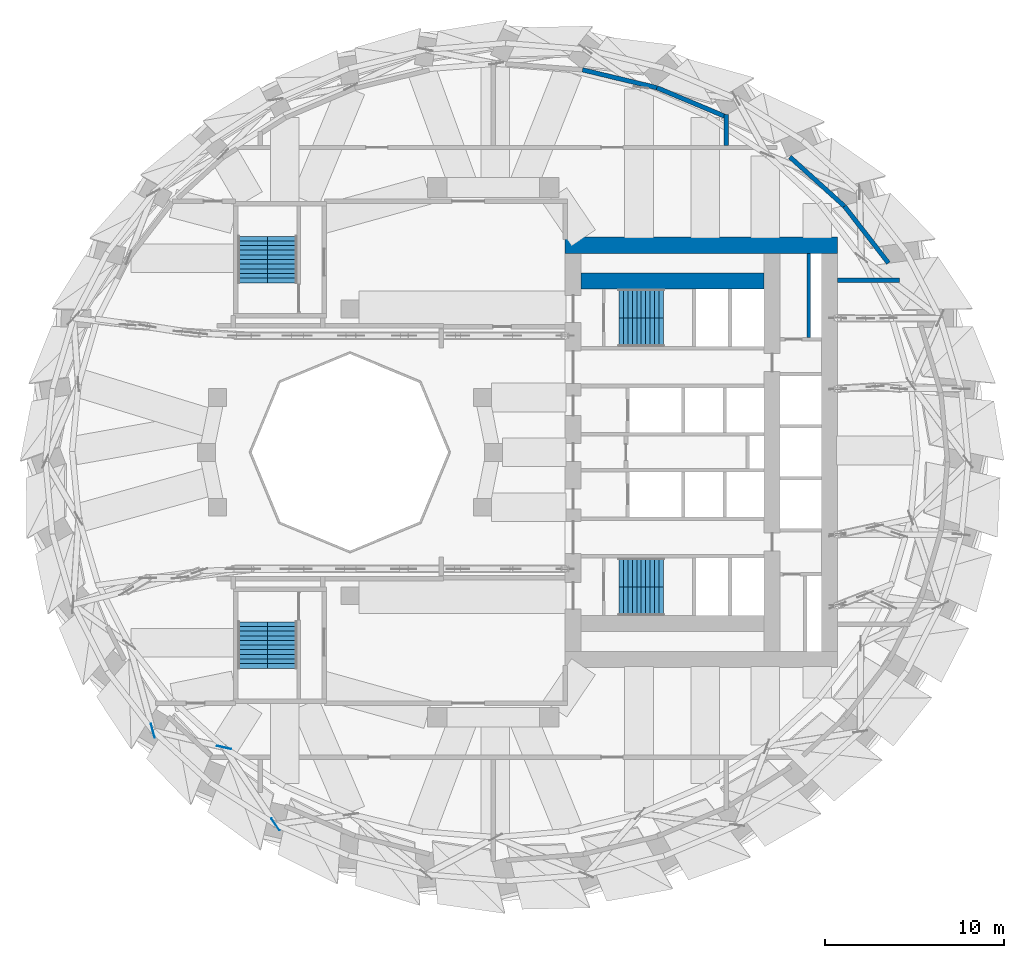
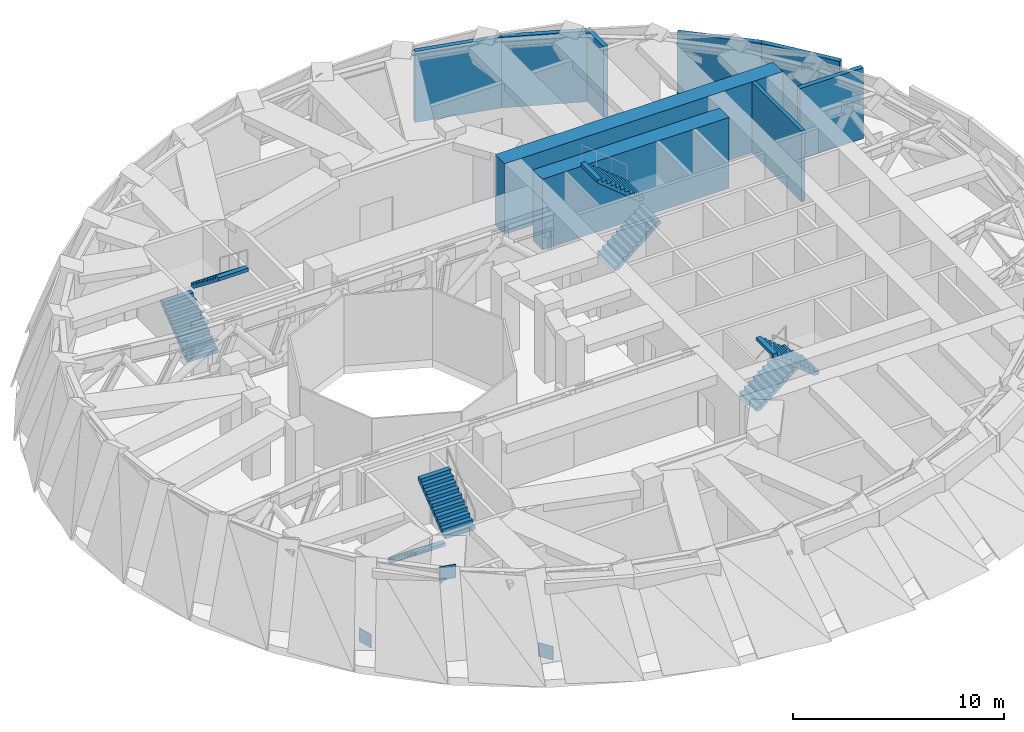
# One storey, part 9 of 14: 9 walls, 8 stair flights, 3 discrete accessories, 4 elements without a shape of their own.
"""IFC4 building model written with IfcOpenShell, lengths in metres."""

from ifc_helpers import new_model, si_unit, direction, frame, frame_2d, origin, origin_2d, place, context, subcontext, project, spatial, polyline, rectangle, outline, extrude, material, layer, layer_set, type_object, element, aggregate, save


model = new_model("IFC4")

# Units and contexts
model_context = context("Model", 3, precision=1e-05, world=origin(), true_north=direction((0.0, 1.0)))
body_context = subcontext(model_context, "Body", "Model", "MODEL_VIEW")
ifc_project = project(units=[si_unit("LENGTHUNIT", "METRE"), si_unit("AREAUNIT", "SQUARE_METRE"), si_unit("VOLUMEUNIT", "CUBIC_METRE"), si_unit("PLANEANGLEUNIT", "RADIAN"), si_unit("MASSUNIT", "GRAM", prefix="KILO")], contexts=[model_context])

# Site, building, storey
site_placement = place(None, origin())
site = spatial("IfcSite", under=ifc_project, at=site_placement, CompositionType="ELEMENT")
building_placement = place(site_placement, origin())
building = spatial("IfcBuilding", under=site, at=building_placement, Name="Taillehof Tower", CompositionType="ELEMENT")
storey_placement = place(building_placement, frame((0.0, 0.0, 135.10009765625)))
storey = spatial("IfcBuildingStorey", under=building, at=storey_placement, Name="L38", CompositionType="ELEMENT", Elevation=135.10009765625)

# Walls
ifc_material_1 = material(Name="Calcium silicate masonry", Category="masonry")
ifc_layer_1 = layer(ifc_material_1, 0.199951171875)
ifc_layer_set_1 = layer_set([ifc_layer_1], Name="Compartment wall calcium silicate 200")
wall_type_1 = type_object("IfcWallType", Name="Compartment wall calcium silicate 200", PredefinedType="PARTITIONING", material=ifc_layer_set_1)
wall_1_placement = place(storey_placement, frame((17.60009765625, 6.39990234375, 0.0), z_axis=(0.0, 0.0, 1.0), x_axis=(0.0, 1.0, 0.0)))
element("IfcWall", 1, at=wall_1_placement, inside=storey, type_object=wall_type_1, Name="Compartment wall FW", PredefinedType="PARTITIONING", context=body_context, shape_type="SweptSolid", body=[
    extrude(rectangle(XDim=4.7001953125, YDim=0.199951171875, at=frame_2d((2.35009765625, 0.0))), origin(), (0.0, 0.0, 1.0), 4.08984375),
])
ifc_material_2 = material(Name="Concrete C80/95", Category="concrete")
ifc_layer_2 = layer(ifc_material_2, 0.89990234375)
ifc_layer_set_2 = layer_set([ifc_layer_2], Name="Core wall C80/95 900")
wall_type_2 = type_object("IfcWallType", Name="Core wall C80/95 900", PredefinedType="SHEAR", material=ifc_layer_set_2)
wall_2_placement = place(storey_placement, frame((4.0, 11.550048828125, 0.0), z_axis=(0.0, 0.0, 1.0), x_axis=(1.0, 0.0, 0.0)))
element("IfcWall", 2, at=wall_2_placement, inside=storey, type_object=wall_type_2, Name="Core wall CW03", PredefinedType="SHEAR", context=body_context, shape_type="SweptSolid", body=[
    extrude(rectangle(XDim=15.199951171875, YDim=0.89990234375, at=frame_2d((7.60009765625, 0.0))), origin(), (0.0, 0.0, 1.0), 4.08984375),
])
wall_3_placement = place(storey_placement, frame((4.89990234375, 9.550048828125, 0.0), z_axis=(0.0, 0.0, 1.0), x_axis=(1.0, 0.0, 0.0)))
element("IfcWall", 3, at=wall_3_placement, inside=storey, type_object=wall_type_2, Name="Core wall CW06", PredefinedType="SHEAR", context=body_context, shape_type="SweptSolid", body=[
    extrude(rectangle(XDim=10.2001953125, YDim=0.89990234375, at=frame_2d((5.10009765625, 0.0))), origin(), (0.0, 0.0, 1.0), 4.08984375),
])
ifc_material_3 = material(Name="Calcium silicate blockwork", Category="masonry")
ifc_layer_3 = layer(ifc_material_3, 0.25)
ifc_layer_set_3 = layer_set([ifc_layer_3], Name="Fire-resisting wall EI 120 250 mm")
wall_type_3 = type_object("IfcWallType", Name="Fire-resisting wall EI 120 250 mm", PredefinedType="PARTITIONING", material=ifc_layer_set_3)
wall_4_placement = place(storey_placement, frame((19.57861328125, 13.728759765625, 0.0), z_axis=(0.0, 0.0, 1.0), x_axis=(-0.742177331878, 0.670203557172, 0.0)))
element("IfcWall", 4, at=wall_4_placement, inside=storey, type_object=wall_type_3, Name="Wall TRB / L38-04", PredefinedType="PARTITIONING", context=body_context, shape_type="SweptSolid", body=[
    extrude(rectangle(XDim=4.0908203125, YDim=0.25, at=frame_2d((2.04541015625, 0.0))), origin(), (0.0, 0.0, 1.0), 4.08984375),
])
wall_5_placement = place(storey_placement, frame((22.038818359375, 10.556396484375, 0.0), z_axis=(0.0, 0.0, 1.0), x_axis=(-0.612824294298, 0.79021920017, 0.0)))
element("IfcWall", 5, at=wall_5_placement, inside=storey, type_object=wall_type_3, Name="Wall TRB / L38-04", PredefinedType="PARTITIONING", context=body_context, shape_type="SweptSolid", body=[
    extrude(rectangle(XDim=4.0146484375, YDim=0.25, at=frame_2d((2.00732421875, 0.0))), origin(), (0.0, 0.0, 1.0), 4.08984375),
])
wall_6_placement = place(storey_placement, frame((9.12451171875, 20.333740234375, 0.0), z_axis=(0.0, 0.0, 1.0), x_axis=(-0.972269387962, 0.233863715084, 0.0)))
element("IfcWall", 6, at=wall_6_placement, inside=storey, type_object=wall_type_3, Name="Wall TRB / L38-07", PredefinedType="PARTITIONING", context=body_context, shape_type="SweptSolid", body=[
    extrude(rectangle(XDim=4.270751953125, YDim=0.25, at=frame_2d((2.13525390625, 0.0))), origin(), (0.0, 0.0, 1.0), 4.08984375),
])
wall_7_placement = place(storey_placement, frame((12.89453125, 18.7490234375, 0.0), z_axis=(0.0, 0.0, 1.0), x_axis=(-0.921867823911, 0.387504471248, 0.0)))
element("IfcWall", 7, at=wall_7_placement, inside=storey, type_object=wall_type_3, Name="Wall TRB / L38-07", PredefinedType="PARTITIONING", context=body_context, shape_type="SweptSolid", body=[
    extrude(rectangle(XDim=4.089599609375, YDim=0.25, at=frame_2d((2.044921875, 0.0))), origin(), (0.0, 0.0, 1.0), 4.08984375),
])
wall_8_placement = place(storey_placement, frame((19.197998046875, 9.60009765625, 0.0), z_axis=(0.0, 0.0, 1.0), x_axis=(1.0, 0.0, 0.0)))
element("IfcWall", 8, at=wall_8_placement, inside=storey, type_object=wall_type_3, Name="Wall TRE / L38-04", PredefinedType="PARTITIONING", context=body_context, shape_type="SweptSolid", body=[
    extrude(rectangle(XDim=3.4599609375, YDim=0.25, at=frame_2d((1.72998046875, 0.0))), origin(), (0.0, 0.0, 1.0), 4.08984375),
])
wall_9_placement = place(storey_placement, frame((13.0, 17.125, 0.0), z_axis=(0.0, 0.0, 1.0), x_axis=(0.0, 1.0, 0.0)))
element("IfcWall", 9, at=wall_9_placement, inside=storey, type_object=wall_type_3, Name="Wall L38-07 / L38-08", PredefinedType="PARTITIONING", context=body_context, shape_type="SweptSolid", body=[
    extrude(rectangle(XDim=1.704833984375, YDim=0.25, at=frame_2d((0.8525390625, 0.0))), origin(), (0.0, 0.0, 1.0), 4.08984375),
])

# Stair, stair flights
ifc_material_4 = material(Name="Concrete C40/50", Category="concrete")
stair_type = type_object("IfcStairType", Name="Exit stair half-turn", PredefinedType="HALF_TURN_STAIR", material=ifc_material_4)
stair_1_placement = place(storey_placement, origin())
stair_1 = element("IfcStair", 10, at=stair_1_placement, inside=storey, type_object=stair_type, Name="Exit stair S1", PredefinedType="HALF_TURN_STAIR")
ifc_material_5 = material(Name="Concrete C40/50", Category="concrete")
stair_flight_type_1 = type_object("IfcStairFlightType", Name="Stair flight 1600 riser 204.5 going 250", PredefinedType="STRAIGHT", material=ifc_material_5)
stair_flight_1_placement = place(storey_placement, frame((7.0, 6.699951171875, 0.0), z_axis=(0.0, 0.0, 1.0), x_axis=(1.0, 0.0, 0.0)))
stair_flight_1 = element("IfcStairFlight", 11, at=stair_flight_1_placement, type_object=stair_flight_type_1, Name="S1 flight 1", NumberOfRisers=11, NumberOfTreads=10, PredefinedType="STRAIGHT", RiserHeight=0.204545455, TreadLength=0.25, context=body_context, shape_type="SweptSolid", body=[
    extrude(outline(polyline([(0.0, 0.0), (0.0, 0.006103515625), (0.0, 0.011962890625), (0.0, 0.01806640625), (0.0, 0.024169921875), (0.0, 0.030029296875), (0.0, 0.0361328125), (0.0, 0.0419921875), (0.0, 0.048095703125), (0.0, 0.05419921875), (0.0, 0.06005859375), (0.0, 0.066162109375), (0.0, 0.072265625), (0.0, 0.078125), (0.0, 0.084228515625), (0.0, 0.09033203125), (0.0, 0.09619140625), (0.0, 0.102294921875), (0.0, 0.1083984375), (0.0, 0.1142578125), (0.0, 0.120361328125), (0.0, 0.126220703125), (0.0, 0.13232421875), (0.0, 0.138427734375), (0.0, 0.144287109375), (0.0, 0.150390625), (0.0, 0.156494140625), (0.0, 0.162353515625), (0.0, 0.16845703125), (0.0, 0.174560546875), (0.0, 0.180419921875), (0.0, 0.1865234375), (0.0, 0.192626953125), (0.0, 0.198486328125), (0.0, 0.20458984375), (0.25, 0.20458984375), (0.25, 0.4091796875), (0.5, 0.4091796875), (0.5, 0.613525390625), (0.75, 0.613525390625), (0.75, 0.818115234375), (1.0, 0.818115234375), (1.0, 1.022705078125), (1.25, 1.022705078125), (1.25, 1.227294921875), (1.5, 1.227294921875), (1.5, 1.431884765625), (1.75, 1.431884765625), (1.75, 1.636474609375), (2.0, 1.636474609375), (2.0, 1.8408203125), (2.25, 1.8408203125), (2.25, 2.04541015625), (2.5, 2.04541015625), (2.5, 2.039794921875), (2.5, 2.0341796875), (2.5, 2.0283203125), (2.5, 2.022705078125), (2.5, 2.01708984375), (2.5, 2.01123046875), (2.5, 2.005615234375), (2.5, 2.0), (2.5, 1.994140625), (2.5, 1.988525390625), (2.5, 1.98291015625), (2.5, 1.97705078125), (2.5, 1.971435546875), (2.5, 1.9658203125), (2.5, 1.9599609375), (2.5, 1.954345703125), (2.5, 1.94873046875), (2.5, 1.94287109375), (2.5, 1.937255859375), (2.5, 1.931640625), (2.5, 1.92578125), (2.5, 1.920166015625), (2.5, 1.91455078125), (2.5, 1.90869140625), (2.5, 1.903076171875), (2.5, 1.8974609375), (2.5, 1.8916015625), (2.5, 1.885986328125), (2.5, 1.88037109375), (2.5, 1.87451171875), (2.5, 1.868896484375), (2.5, 1.86328125), (2.5, 1.857421875), (2.5, 1.851806640625), (0.23681640625, 0.0), (0.0, 0.0)])), frame((0.0, 0.800048828125, 0.0), z_axis=(0.0, -1.0, 0.0), x_axis=(1.0, 0.0, 0.0)), (0.0, 0.0, 1.0), 1.6),
])
stair_flight_2_placement = place(storey_placement, frame((9.5, 8.300048828125, 2.25), z_axis=(0.0, 0.0, 1.0), x_axis=(-1.0, 0.0, 0.0)))
stair_flight_2 = element("IfcStairFlight", 12, at=stair_flight_2_placement, type_object=stair_flight_type_1, Name="S1 flight 2", NumberOfRisers=11, NumberOfTreads=10, PredefinedType="STRAIGHT", RiserHeight=0.204545455, TreadLength=0.25, context=body_context, shape_type="SweptSolid", body=[
    extrude(outline(polyline([(0.0, 0.0), (0.0, 0.006103515625), (0.0, 0.011962890625), (0.0, 0.01806640625), (0.0, 0.024169921875), (0.0, 0.030029296875), (0.0, 0.0361328125), (0.0, 0.0419921875), (0.0, 0.048095703125), (0.0, 0.05419921875), (0.0, 0.06005859375), (0.0, 0.066162109375), (0.0, 0.072265625), (0.0, 0.078125), (0.0, 0.084228515625), (0.0, 0.09033203125), (0.0, 0.09619140625), (0.0, 0.102294921875), (0.0, 0.1083984375), (0.0, 0.1142578125), (0.0, 0.120361328125), (0.0, 0.126220703125), (0.0, 0.13232421875), (0.0, 0.138427734375), (0.0, 0.144287109375), (0.0, 0.150390625), (0.0, 0.156494140625), (0.0, 0.162353515625), (0.0, 0.16845703125), (0.0, 0.174560546875), (0.0, 0.180419921875), (0.0, 0.1865234375), (0.0, 0.192626953125), (0.0, 0.198486328125), (0.0, 0.20458984375), (0.25, 0.20458984375), (0.25, 0.4091796875), (0.5, 0.4091796875), (0.5, 0.613525390625), (0.75, 0.613525390625), (0.75, 0.818115234375), (1.0, 0.818115234375), (1.0, 1.022705078125), (1.25, 1.022705078125), (1.25, 1.227294921875), (1.5, 1.227294921875), (1.5, 1.431884765625), (1.75, 1.431884765625), (1.75, 1.636474609375), (2.0, 1.636474609375), (2.0, 1.8408203125), (2.25, 1.8408203125), (2.25, 2.04541015625), (2.5, 2.04541015625), (2.5, 2.039794921875), (2.5, 2.0341796875), (2.5, 2.0283203125), (2.5, 2.022705078125), (2.5, 2.01708984375), (2.5, 2.01123046875), (2.5, 2.005615234375), (2.5, 2.0), (2.5, 1.994140625), (2.5, 1.988525390625), (2.5, 1.98291015625), (2.5, 1.97705078125), (2.5, 1.971435546875), (2.5, 1.9658203125), (2.5, 1.9599609375), (2.5, 1.954345703125), (2.5, 1.94873046875), (2.5, 1.94287109375), (2.5, 1.937255859375), (2.5, 1.931640625), (2.5, 1.92578125), (2.5, 1.920166015625), (2.5, 1.91455078125), (2.5, 1.90869140625), (2.5, 1.903076171875), (2.5, 1.8974609375), (2.5, 1.8916015625), (2.5, 1.885986328125), (2.5, 1.88037109375), (2.5, 1.87451171875), (2.5, 1.868896484375), (2.5, 1.86328125), (2.5, 1.857421875), (2.5, 1.851806640625), (0.23681640625, 0.0), (0.0, 0.0)])), frame((0.0, 0.800048828125, 0.0), z_axis=(0.0, -1.0, 0.0), x_axis=(1.0, 0.0, 0.0)), (0.0, 0.0, 1.0), 1.6),
])
aggregate(stair_1, [stair_flight_1, stair_flight_2])

stair_2_placement = place(storey_placement, origin())
stair_2 = element("IfcStair", 13, at=stair_2_placement, inside=storey, type_object=stair_type, Name="Exit stair S2", PredefinedType="HALF_TURN_STAIR")
stair_flight_3_placement = place(storey_placement, frame((7.0, -6.699951171875, 0.0), z_axis=(0.0, 0.0, 1.0), x_axis=(1.0, 0.0, 0.0)))
stair_flight_3 = element("IfcStairFlight", 14, at=stair_flight_3_placement, type_object=stair_flight_type_1, Name="S2 flight 1", NumberOfRisers=11, NumberOfTreads=10, PredefinedType="STRAIGHT", RiserHeight=0.204545455, TreadLength=0.25, context=body_context, shape_type="SweptSolid", body=[
    extrude(outline(polyline([(0.0, 0.0), (0.0, 0.006103515625), (0.0, 0.011962890625), (0.0, 0.01806640625), (0.0, 0.024169921875), (0.0, 0.030029296875), (0.0, 0.0361328125), (0.0, 0.0419921875), (0.0, 0.048095703125), (0.0, 0.05419921875), (0.0, 0.06005859375), (0.0, 0.066162109375), (0.0, 0.072265625), (0.0, 0.078125), (0.0, 0.084228515625), (0.0, 0.09033203125), (0.0, 0.09619140625), (0.0, 0.102294921875), (0.0, 0.1083984375), (0.0, 0.1142578125), (0.0, 0.120361328125), (0.0, 0.126220703125), (0.0, 0.13232421875), (0.0, 0.138427734375), (0.0, 0.144287109375), (0.0, 0.150390625), (0.0, 0.156494140625), (0.0, 0.162353515625), (0.0, 0.16845703125), (0.0, 0.174560546875), (0.0, 0.180419921875), (0.0, 0.1865234375), (0.0, 0.192626953125), (0.0, 0.198486328125), (0.0, 0.20458984375), (0.25, 0.20458984375), (0.25, 0.4091796875), (0.5, 0.4091796875), (0.5, 0.613525390625), (0.75, 0.613525390625), (0.75, 0.818115234375), (1.0, 0.818115234375), (1.0, 1.022705078125), (1.25, 1.022705078125), (1.25, 1.227294921875), (1.5, 1.227294921875), (1.5, 1.431884765625), (1.75, 1.431884765625), (1.75, 1.636474609375), (2.0, 1.636474609375), (2.0, 1.8408203125), (2.25, 1.8408203125), (2.25, 2.04541015625), (2.5, 2.04541015625), (2.5, 2.039794921875), (2.5, 2.0341796875), (2.5, 2.0283203125), (2.5, 2.022705078125), (2.5, 2.01708984375), (2.5, 2.01123046875), (2.5, 2.005615234375), (2.5, 2.0), (2.5, 1.994140625), (2.5, 1.988525390625), (2.5, 1.98291015625), (2.5, 1.97705078125), (2.5, 1.971435546875), (2.5, 1.9658203125), (2.5, 1.9599609375), (2.5, 1.954345703125), (2.5, 1.94873046875), (2.5, 1.94287109375), (2.5, 1.937255859375), (2.5, 1.931640625), (2.5, 1.92578125), (2.5, 1.920166015625), (2.5, 1.91455078125), (2.5, 1.90869140625), (2.5, 1.903076171875), (2.5, 1.8974609375), (2.5, 1.8916015625), (2.5, 1.885986328125), (2.5, 1.88037109375), (2.5, 1.87451171875), (2.5, 1.868896484375), (2.5, 1.86328125), (2.5, 1.857421875), (2.5, 1.851806640625), (0.23681640625, 0.0), (0.0, 0.0)])), frame((0.0, 0.800048828125, 0.0), z_axis=(0.0, -1.0, 0.0), x_axis=(1.0, 0.0, 0.0)), (0.0, 0.0, 1.0), 1.6),
])
stair_flight_4_placement = place(storey_placement, frame((9.5, -8.300048828125, 2.25), z_axis=(0.0, 0.0, 1.0), x_axis=(-1.0, 0.0, 0.0)))
stair_flight_4 = element("IfcStairFlight", 15, at=stair_flight_4_placement, type_object=stair_flight_type_1, Name="S2 flight 2", NumberOfRisers=11, NumberOfTreads=10, PredefinedType="STRAIGHT", RiserHeight=0.204545455, TreadLength=0.25, context=body_context, shape_type="SweptSolid", body=[
    extrude(outline(polyline([(0.0, 0.0), (0.0, 0.006103515625), (0.0, 0.011962890625), (0.0, 0.01806640625), (0.0, 0.024169921875), (0.0, 0.030029296875), (0.0, 0.0361328125), (0.0, 0.0419921875), (0.0, 0.048095703125), (0.0, 0.05419921875), (0.0, 0.06005859375), (0.0, 0.066162109375), (0.0, 0.072265625), (0.0, 0.078125), (0.0, 0.084228515625), (0.0, 0.09033203125), (0.0, 0.09619140625), (0.0, 0.102294921875), (0.0, 0.1083984375), (0.0, 0.1142578125), (0.0, 0.120361328125), (0.0, 0.126220703125), (0.0, 0.13232421875), (0.0, 0.138427734375), (0.0, 0.144287109375), (0.0, 0.150390625), (0.0, 0.156494140625), (0.0, 0.162353515625), (0.0, 0.16845703125), (0.0, 0.174560546875), (0.0, 0.180419921875), (0.0, 0.1865234375), (0.0, 0.192626953125), (0.0, 0.198486328125), (0.0, 0.20458984375), (0.25, 0.20458984375), (0.25, 0.4091796875), (0.5, 0.4091796875), (0.5, 0.613525390625), (0.75, 0.613525390625), (0.75, 0.818115234375), (1.0, 0.818115234375), (1.0, 1.022705078125), (1.25, 1.022705078125), (1.25, 1.227294921875), (1.5, 1.227294921875), (1.5, 1.431884765625), (1.75, 1.431884765625), (1.75, 1.636474609375), (2.0, 1.636474609375), (2.0, 1.8408203125), (2.25, 1.8408203125), (2.25, 2.04541015625), (2.5, 2.04541015625), (2.5, 2.039794921875), (2.5, 2.0341796875), (2.5, 2.0283203125), (2.5, 2.022705078125), (2.5, 2.01708984375), (2.5, 2.01123046875), (2.5, 2.005615234375), (2.5, 2.0), (2.5, 1.994140625), (2.5, 1.988525390625), (2.5, 1.98291015625), (2.5, 1.97705078125), (2.5, 1.971435546875), (2.5, 1.9658203125), (2.5, 1.9599609375), (2.5, 1.954345703125), (2.5, 1.94873046875), (2.5, 1.94287109375), (2.5, 1.937255859375), (2.5, 1.931640625), (2.5, 1.92578125), (2.5, 1.920166015625), (2.5, 1.91455078125), (2.5, 1.90869140625), (2.5, 1.903076171875), (2.5, 1.8974609375), (2.5, 1.8916015625), (2.5, 1.885986328125), (2.5, 1.88037109375), (2.5, 1.87451171875), (2.5, 1.868896484375), (2.5, 1.86328125), (2.5, 1.857421875), (2.5, 1.851806640625), (0.23681640625, 0.0), (0.0, 0.0)])), frame((0.0, 0.800048828125, 0.0), z_axis=(0.0, -1.0, 0.0), x_axis=(1.0, 0.0, 0.0)), (0.0, 0.0, 1.0), 1.6),
])
aggregate(stair_2, [stair_flight_3, stair_flight_4])

stair_3_placement = place(storey_placement, origin())
stair_3 = element("IfcStair", 16, at=stair_3_placement, inside=storey, type_object=stair_type, Name="Exit stair S3", PredefinedType="HALF_TURN_STAIR")
ifc_material_6 = material(Name="Concrete C40/50", Category="concrete")
stair_flight_type_2 = type_object("IfcStairFlightType", Name="Stair flight 1650 riser 204.5 going 260", PredefinedType="STRAIGHT", material=ifc_material_6)
stair_flight_5_placement = place(storey_placement, frame((-13.425048828125, 9.449951171875, 0.0), z_axis=(0.0, 0.0, 1.0), x_axis=(0.0, 1.0, 0.0)))
stair_flight_5 = element("IfcStairFlight", 17, at=stair_flight_5_placement, type_object=stair_flight_type_2, Name="S3 flight 1", NumberOfRisers=11, NumberOfTreads=10, PredefinedType="STRAIGHT", RiserHeight=0.204545455, TreadLength=0.26, context=body_context, shape_type="SweptSolid", body=[
    extrude(outline(polyline([(0.0, 0.0), (0.0, 0.006103515625), (0.0, 0.011962890625), (0.0, 0.01806640625), (0.0, 0.024169921875), (0.0, 0.030029296875), (0.0, 0.0361328125), (0.0, 0.0419921875), (0.0, 0.048095703125), (0.0, 0.05419921875), (0.0, 0.06005859375), (0.0, 0.066162109375), (0.0, 0.072265625), (0.0, 0.078125), (0.0, 0.084228515625), (0.0, 0.09033203125), (0.0, 0.09619140625), (0.0, 0.102294921875), (0.0, 0.1083984375), (0.0, 0.1142578125), (0.0, 0.120361328125), (0.0, 0.126220703125), (0.0, 0.13232421875), (0.0, 0.138427734375), (0.0, 0.144287109375), (0.0, 0.150390625), (0.0, 0.156494140625), (0.0, 0.162353515625), (0.0, 0.16845703125), (0.0, 0.174560546875), (0.0, 0.180419921875), (0.0, 0.1865234375), (0.0, 0.192626953125), (0.0, 0.198486328125), (0.0, 0.20458984375), (0.260009765625, 0.20458984375), (0.260009765625, 0.4091796875), (0.52001953125, 0.4091796875), (0.52001953125, 0.613525390625), (0.780029296875, 0.613525390625), (0.780029296875, 0.818115234375), (1.0400390625, 0.818115234375), (1.0400390625, 1.022705078125), (1.300048828125, 1.022705078125), (1.300048828125, 1.227294921875), (1.56005859375, 1.227294921875), (1.56005859375, 1.431884765625), (1.820068359375, 1.431884765625), (1.820068359375, 1.636474609375), (2.080078125, 1.636474609375), (2.080078125, 1.8408203125), (2.340087890625, 1.8408203125), (2.340087890625, 2.04541015625), (2.60009765625, 2.04541015625), (2.60009765625, 2.039794921875), (2.60009765625, 2.0341796875), (2.60009765625, 2.028564453125), (2.60009765625, 2.02294921875), (2.60009765625, 2.017333984375), (2.60009765625, 2.01171875), (2.60009765625, 2.006103515625), (2.60009765625, 2.00048828125), (2.60009765625, 1.994873046875), (2.60009765625, 1.9892578125), (2.60009765625, 1.983642578125), (2.60009765625, 1.97802734375), (2.60009765625, 1.972412109375), (2.60009765625, 1.966796875), (2.60009765625, 1.96142578125), (2.60009765625, 1.955810546875), (2.60009765625, 1.9501953125), (2.60009765625, 1.944580078125), (2.60009765625, 1.93896484375), (2.60009765625, 1.933349609375), (2.60009765625, 1.927734375), (2.60009765625, 1.922119140625), (2.60009765625, 1.91650390625), (2.60009765625, 1.910888671875), (2.60009765625, 1.9052734375), (2.60009765625, 1.899658203125), (2.60009765625, 1.89404296875), (2.60009765625, 1.888427734375), (2.60009765625, 1.8828125), (2.60009765625, 1.877197265625), (2.60009765625, 1.87158203125), (2.60009765625, 1.865966796875), (2.60009765625, 1.8603515625), (2.60009765625, 1.854736328125), (0.242431640625, 0.0), (0.0, 0.0)])), frame((0.0, 0.824951171875, 0.0), z_axis=(0.0, -1.0, 0.0), x_axis=(1.0, 0.0, 0.0)), (0.0, 0.0, 1.0), 1.65),
])
stair_flight_6_placement = place(storey_placement, frame((-11.77490234375, 12.050048828125, 2.25), z_axis=(0.0, 0.0, 1.0), x_axis=(0.0, -1.0, 0.0)))
stair_flight_6 = element("IfcStairFlight", 18, at=stair_flight_6_placement, type_object=stair_flight_type_2, Name="S3 flight 2", NumberOfRisers=11, NumberOfTreads=10, PredefinedType="STRAIGHT", RiserHeight=0.204545455, TreadLength=0.26, context=body_context, shape_type="SweptSolid", body=[
    extrude(outline(polyline([(0.0, 0.0), (0.0, 0.006103515625), (0.0, 0.011962890625), (0.0, 0.01806640625), (0.0, 0.024169921875), (0.0, 0.030029296875), (0.0, 0.0361328125), (0.0, 0.0419921875), (0.0, 0.048095703125), (0.0, 0.05419921875), (0.0, 0.06005859375), (0.0, 0.066162109375), (0.0, 0.072265625), (0.0, 0.078125), (0.0, 0.084228515625), (0.0, 0.09033203125), (0.0, 0.09619140625), (0.0, 0.102294921875), (0.0, 0.1083984375), (0.0, 0.1142578125), (0.0, 0.120361328125), (0.0, 0.126220703125), (0.0, 0.13232421875), (0.0, 0.138427734375), (0.0, 0.144287109375), (0.0, 0.150390625), (0.0, 0.156494140625), (0.0, 0.162353515625), (0.0, 0.16845703125), (0.0, 0.174560546875), (0.0, 0.180419921875), (0.0, 0.1865234375), (0.0, 0.192626953125), (0.0, 0.198486328125), (0.0, 0.20458984375), (0.260009765625, 0.20458984375), (0.260009765625, 0.4091796875), (0.52001953125, 0.4091796875), (0.52001953125, 0.613525390625), (0.780029296875, 0.613525390625), (0.780029296875, 0.818115234375), (1.0400390625, 0.818115234375), (1.0400390625, 1.022705078125), (1.300048828125, 1.022705078125), (1.300048828125, 1.227294921875), (1.56005859375, 1.227294921875), (1.56005859375, 1.431884765625), (1.820068359375, 1.431884765625), (1.820068359375, 1.636474609375), (2.080078125, 1.636474609375), (2.080078125, 1.8408203125), (2.340087890625, 1.8408203125), (2.340087890625, 2.04541015625), (2.60009765625, 2.04541015625), (2.60009765625, 2.039794921875), (2.60009765625, 2.0341796875), (2.60009765625, 2.028564453125), (2.60009765625, 2.02294921875), (2.60009765625, 2.017333984375), (2.60009765625, 2.01171875), (2.60009765625, 2.006103515625), (2.60009765625, 2.00048828125), (2.60009765625, 1.994873046875), (2.60009765625, 1.9892578125), (2.60009765625, 1.983642578125), (2.60009765625, 1.97802734375), (2.60009765625, 1.972412109375), (2.60009765625, 1.966796875), (2.60009765625, 1.96142578125), (2.60009765625, 1.955810546875), (2.60009765625, 1.9501953125), (2.60009765625, 1.944580078125), (2.60009765625, 1.93896484375), (2.60009765625, 1.933349609375), (2.60009765625, 1.927734375), (2.60009765625, 1.922119140625), (2.60009765625, 1.91650390625), (2.60009765625, 1.910888671875), (2.60009765625, 1.9052734375), (2.60009765625, 1.899658203125), (2.60009765625, 1.89404296875), (2.60009765625, 1.888427734375), (2.60009765625, 1.8828125), (2.60009765625, 1.877197265625), (2.60009765625, 1.87158203125), (2.60009765625, 1.865966796875), (2.60009765625, 1.8603515625), (2.60009765625, 1.854736328125), (0.242431640625, 0.0), (0.0, 0.0)])), frame((0.0, 0.824951171875, 0.0), z_axis=(0.0, -1.0, 0.0), x_axis=(1.0, 0.0, 0.0)), (0.0, 0.0, 1.0), 1.65),
])
aggregate(stair_3, [stair_flight_5, stair_flight_6])

stair_4_placement = place(storey_placement, origin())
stair_4 = element("IfcStair", 19, at=stair_4_placement, inside=storey, type_object=stair_type, Name="Exit stair S4", PredefinedType="HALF_TURN_STAIR")
stair_flight_7_placement = place(storey_placement, frame((-13.425048828125, -9.449951171875, 0.0), z_axis=(0.0, 0.0, 1.0), x_axis=(0.0, -1.0, 0.0)))
stair_flight_7 = element("IfcStairFlight", 20, at=stair_flight_7_placement, type_object=stair_flight_type_2, Name="S4 flight 1", NumberOfRisers=11, NumberOfTreads=10, PredefinedType="STRAIGHT", RiserHeight=0.204545455, TreadLength=0.26, context=body_context, shape_type="SweptSolid", body=[
    extrude(outline(polyline([(0.0, 0.0), (0.0, 0.006103515625), (0.0, 0.011962890625), (0.0, 0.01806640625), (0.0, 0.024169921875), (0.0, 0.030029296875), (0.0, 0.0361328125), (0.0, 0.0419921875), (0.0, 0.048095703125), (0.0, 0.05419921875), (0.0, 0.06005859375), (0.0, 0.066162109375), (0.0, 0.072265625), (0.0, 0.078125), (0.0, 0.084228515625), (0.0, 0.09033203125), (0.0, 0.09619140625), (0.0, 0.102294921875), (0.0, 0.1083984375), (0.0, 0.1142578125), (0.0, 0.120361328125), (0.0, 0.126220703125), (0.0, 0.13232421875), (0.0, 0.138427734375), (0.0, 0.144287109375), (0.0, 0.150390625), (0.0, 0.156494140625), (0.0, 0.162353515625), (0.0, 0.16845703125), (0.0, 0.174560546875), (0.0, 0.180419921875), (0.0, 0.1865234375), (0.0, 0.192626953125), (0.0, 0.198486328125), (0.0, 0.20458984375), (0.260009765625, 0.20458984375), (0.260009765625, 0.4091796875), (0.52001953125, 0.4091796875), (0.52001953125, 0.613525390625), (0.780029296875, 0.613525390625), (0.780029296875, 0.818115234375), (1.0400390625, 0.818115234375), (1.0400390625, 1.022705078125), (1.300048828125, 1.022705078125), (1.300048828125, 1.227294921875), (1.56005859375, 1.227294921875), (1.56005859375, 1.431884765625), (1.820068359375, 1.431884765625), (1.820068359375, 1.636474609375), (2.080078125, 1.636474609375), (2.080078125, 1.8408203125), (2.340087890625, 1.8408203125), (2.340087890625, 2.04541015625), (2.60009765625, 2.04541015625), (2.60009765625, 2.039794921875), (2.60009765625, 2.0341796875), (2.60009765625, 2.028564453125), (2.60009765625, 2.02294921875), (2.60009765625, 2.017333984375), (2.60009765625, 2.01171875), (2.60009765625, 2.006103515625), (2.60009765625, 2.00048828125), (2.60009765625, 1.994873046875), (2.60009765625, 1.9892578125), (2.60009765625, 1.983642578125), (2.60009765625, 1.97802734375), (2.60009765625, 1.972412109375), (2.60009765625, 1.966796875), (2.60009765625, 1.96142578125), (2.60009765625, 1.955810546875), (2.60009765625, 1.9501953125), (2.60009765625, 1.944580078125), (2.60009765625, 1.93896484375), (2.60009765625, 1.933349609375), (2.60009765625, 1.927734375), (2.60009765625, 1.922119140625), (2.60009765625, 1.91650390625), (2.60009765625, 1.910888671875), (2.60009765625, 1.9052734375), (2.60009765625, 1.899658203125), (2.60009765625, 1.89404296875), (2.60009765625, 1.888427734375), (2.60009765625, 1.8828125), (2.60009765625, 1.877197265625), (2.60009765625, 1.87158203125), (2.60009765625, 1.865966796875), (2.60009765625, 1.8603515625), (2.60009765625, 1.854736328125), (0.242431640625, 0.0), (0.0, 0.0)])), frame((0.0, 0.824951171875, 0.0), z_axis=(0.0, -1.0, 0.0), x_axis=(1.0, 0.0, 0.0)), (0.0, 0.0, 1.0), 1.65),
])
stair_flight_8_placement = place(storey_placement, frame((-11.77490234375, -12.050048828125, 2.25), z_axis=(0.0, 0.0, 1.0), x_axis=(0.0, 1.0, 0.0)))
stair_flight_8 = element("IfcStairFlight", 21, at=stair_flight_8_placement, type_object=stair_flight_type_2, Name="S4 flight 2", NumberOfRisers=11, NumberOfTreads=10, PredefinedType="STRAIGHT", RiserHeight=0.204545455, TreadLength=0.26, context=body_context, shape_type="SweptSolid", body=[
    extrude(outline(polyline([(0.0, 0.0), (0.0, 0.006103515625), (0.0, 0.011962890625), (0.0, 0.01806640625), (0.0, 0.024169921875), (0.0, 0.030029296875), (0.0, 0.0361328125), (0.0, 0.0419921875), (0.0, 0.048095703125), (0.0, 0.05419921875), (0.0, 0.06005859375), (0.0, 0.066162109375), (0.0, 0.072265625), (0.0, 0.078125), (0.0, 0.084228515625), (0.0, 0.09033203125), (0.0, 0.09619140625), (0.0, 0.102294921875), (0.0, 0.1083984375), (0.0, 0.1142578125), (0.0, 0.120361328125), (0.0, 0.126220703125), (0.0, 0.13232421875), (0.0, 0.138427734375), (0.0, 0.144287109375), (0.0, 0.150390625), (0.0, 0.156494140625), (0.0, 0.162353515625), (0.0, 0.16845703125), (0.0, 0.174560546875), (0.0, 0.180419921875), (0.0, 0.1865234375), (0.0, 0.192626953125), (0.0, 0.198486328125), (0.0, 0.20458984375), (0.260009765625, 0.20458984375), (0.260009765625, 0.4091796875), (0.52001953125, 0.4091796875), (0.52001953125, 0.613525390625), (0.780029296875, 0.613525390625), (0.780029296875, 0.818115234375), (1.0400390625, 0.818115234375), (1.0400390625, 1.022705078125), (1.300048828125, 1.022705078125), (1.300048828125, 1.227294921875), (1.56005859375, 1.227294921875), (1.56005859375, 1.431884765625), (1.820068359375, 1.431884765625), (1.820068359375, 1.636474609375), (2.080078125, 1.636474609375), (2.080078125, 1.8408203125), (2.340087890625, 1.8408203125), (2.340087890625, 2.04541015625), (2.60009765625, 2.04541015625), (2.60009765625, 2.039794921875), (2.60009765625, 2.0341796875), (2.60009765625, 2.028564453125), (2.60009765625, 2.02294921875), (2.60009765625, 2.017333984375), (2.60009765625, 2.01171875), (2.60009765625, 2.006103515625), (2.60009765625, 2.00048828125), (2.60009765625, 1.994873046875), (2.60009765625, 1.9892578125), (2.60009765625, 1.983642578125), (2.60009765625, 1.97802734375), (2.60009765625, 1.972412109375), (2.60009765625, 1.966796875), (2.60009765625, 1.96142578125), (2.60009765625, 1.955810546875), (2.60009765625, 1.9501953125), (2.60009765625, 1.944580078125), (2.60009765625, 1.93896484375), (2.60009765625, 1.933349609375), (2.60009765625, 1.927734375), (2.60009765625, 1.922119140625), (2.60009765625, 1.91650390625), (2.60009765625, 1.910888671875), (2.60009765625, 1.9052734375), (2.60009765625, 1.899658203125), (2.60009765625, 1.89404296875), (2.60009765625, 1.888427734375), (2.60009765625, 1.8828125), (2.60009765625, 1.877197265625), (2.60009765625, 1.87158203125), (2.60009765625, 1.865966796875), (2.60009765625, 1.8603515625), (2.60009765625, 1.854736328125), (0.242431640625, 0.0), (0.0, 0.0)])), frame((0.0, 0.824951171875, 0.0), z_axis=(0.0, -1.0, 0.0), x_axis=(1.0, 0.0, 0.0)), (0.0, 0.0, 1.0), 1.65),
])
aggregate(stair_4, [stair_flight_7, stair_flight_8])

# Discrete accessories
ifc_material_7 = material(Name="Steel S460M", Category="steel")
discrete_accessory_type = type_object("IfcDiscreteAccessoryType", Name="Steel gusset plate", PredefinedType="BRACKET", material=ifc_material_7)
for number, where, z_axis, x_axis, name in (
    (22, (-18.989990234375, -15.52001953125, 0.5), (0.0, 0.0, 1.0), (0.264519443241, -0.964380352427, 0.0), "Gusset plate 150"),
    (23, (-15.02001953125, -16.4599609375, 3.4697265625), (0.0, 0.0, 1.0), (0.973368456566, -0.229246260085, 0.0), "Gusset plate 155"),
    (24, (-12.14990234375, -20.75, 0.5), (0.0, 0.0, 1.0), (0.556183934181, -0.831059222534, 0.0), "Gusset plate 158"),
):
    element("IfcDiscreteAccessory", number, at=place(storey_placement, frame(where, z_axis=z_axis, x_axis=x_axis)), inside=storey, type_object=discrete_accessory_type, Name=name, PredefinedType="BRACKET", context=body_context, shape_type="SweptSolid", body=[
        extrude(rectangle(XDim=0.800048828125, YDim=0.02490234375, at=origin_2d()), origin(), (0.0, 0.0, 1.0), 0.800048828125),
    ])

save(model, "model.ifc")
